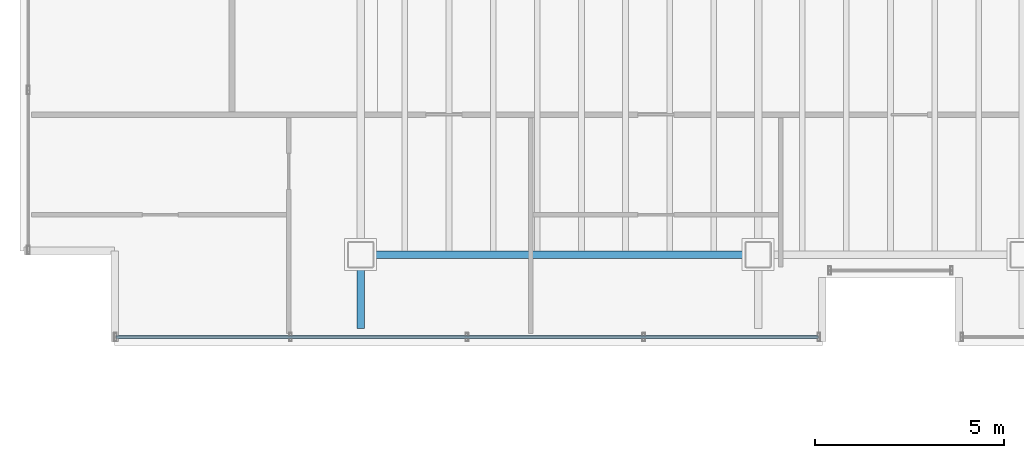
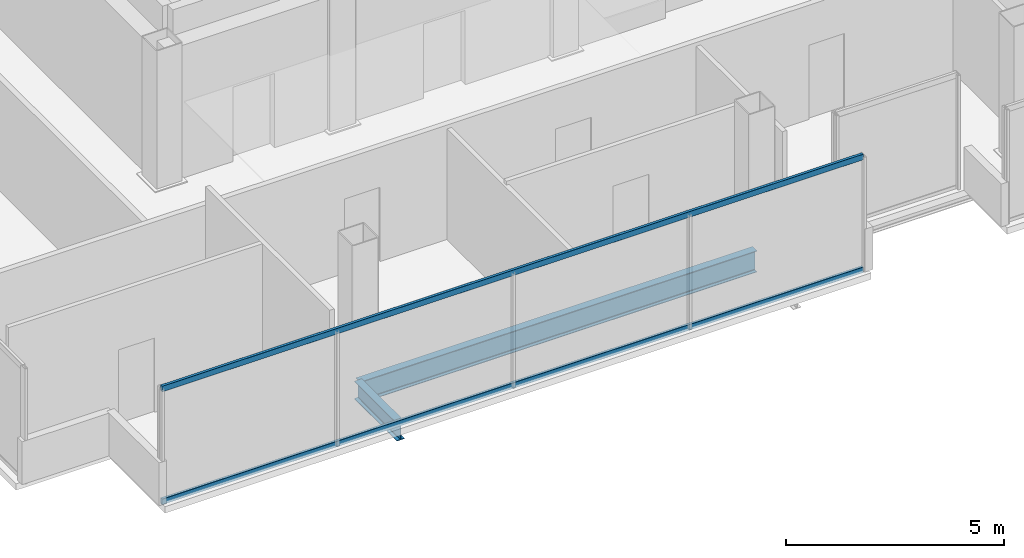
# One storey, part 3 of 17: 2 beams, 2 members, 1 element without a shape of its own.
"""IFC4 building model written with IfcOpenShell, lengths in metres."""

from ifc_helpers import new_model, si_unit, direction, frame, origin, origin_2d, place, context, subcontext, project, spatial, hollow_rectangle, i_section, extrude, material, material_profile, profile_set, type_object, element, aggregate, save


model = new_model("IFC4")

# Units and contexts
model_context = context("Model", 3, precision=1e-05, world=origin(), true_north=direction((0.0, 1.0)))
body_context = subcontext(model_context, "Body", "Model", "MODEL_VIEW")
ifc_project = project(units=[si_unit("LENGTHUNIT", "METRE"), si_unit("AREAUNIT", "SQUARE_METRE"), si_unit("VOLUMEUNIT", "CUBIC_METRE"), si_unit("PLANEANGLEUNIT", "RADIAN"), si_unit("MASSUNIT", "GRAM", prefix="KILO")], contexts=[model_context])

# Site, building, storey
site_placement = place(None, origin())
site = spatial("IfcSite", under=ifc_project, at=site_placement, CompositionType="ELEMENT")
building_placement = place(site_placement, origin())
building = spatial("IfcBuilding", under=site, at=building_placement, Name="Noeulbin Bourse Tower", CompositionType="ELEMENT")
storey_placement = place(building_placement, frame((0.0, 0.0, 273.5)))
storey = spatial("IfcBuildingStorey", under=building, at=storey_placement, Name="L68", CompositionType="ELEMENT", Elevation=273.5)

# Beams
ifc_material_1 = material(Name="Steel S355", Category="steel")
ifc_material_profile_1 = material_profile(ifc_material_1, i_section(OverallWidth=0.199951171875, OverallDepth=0.5, WebThickness=0.010009765625, FlangeThickness=0.01611328125, FilletRadius=0.02001953125, at=origin_2d()), Name="H-500x200x10x16", Category="LoadBearing")
ifc_profile_set_1 = profile_set([ifc_material_profile_1], Name="Steel S355")
beam_type_1 = type_object("IfcBeamType", Name="BM-GRD-500", PredefinedType="USERDEFINED", material=ifc_profile_set_1)
beam_1_placement = place(storey_placement, frame((13.5, 18.050048828125, -0.429931640625), z_axis=(0.0, 1.0, 0.0), x_axis=(-1.0, 0.0, 0.0)))
element("IfcBeam", 1, at=beam_1_placement, inside=storey, type_object=beam_type_1, Name="Tower Primary Girder NS L68-1.1", ObjectType="GIRDER", PredefinedType="USERDEFINED", context=body_context, shape_type="SweptSolid", body=[
    extrude(i_section(OverallWidth=0.199951171875, OverallDepth=0.5, WebThickness=0.010009765625, FlangeThickness=0.01611328125, FilletRadius=0.02001953125, at=origin_2d()), origin(), (0.0, 0.0, 1.0), 1.949951171875),
])
ifc_material_profile_2 = material_profile(ifc_material_1, i_section(OverallWidth=0.199951171875, OverallDepth=0.60009765625, WebThickness=0.010986328125, FlangeThickness=0.01708984375, FilletRadius=0.02197265625, at=origin_2d()), Name="H-600x200x11x17", Category="LoadBearing")
ifc_profile_set_2 = profile_set([ifc_material_profile_2], Name="Steel S355")
beam_type_2 = type_object("IfcBeamType", Name="BM-GRD-600", PredefinedType="USERDEFINED", material=ifc_profile_set_2)
beam_2_placement = place(storey_placement, frame((13.5, 20.0, -0.47998046875), z_axis=(1.0, 0.0, 0.0), x_axis=(0.0, 1.0, 0.0)))
element("IfcBeam", 2, at=beam_2_placement, inside=storey, type_object=beam_type_2, Name="Tower Primary Girder EW L68-1.1", ObjectType="GIRDER", PredefinedType="USERDEFINED", context=body_context, shape_type="SweptSolid", body=[
    extrude(i_section(OverallWidth=0.199951171875, OverallDepth=0.60009765625, WebThickness=0.010986328125, FlangeThickness=0.01708984375, FilletRadius=0.02197265625, at=origin_2d()), origin(), (0.0, 0.0, 1.0), 10.5),
])

# Curtain wall, members
ifc_material_2 = material(Name="High-Selectivity Low-Iron Glazing", Category="glass")
curtain_wall_type = type_object("IfcCurtainWallType", Name="CW-SYS-4", PredefinedType="NOTDEFINED", material=ifc_material_2)
curtain_wall_placement = place(storey_placement, origin())
curtain_wall = element("IfcCurtainWall", 3, at=curtain_wall_placement, inside=storey, type_object=curtain_wall_type, Name="Unitised Curtain Wall CW-L68-S1", PredefinedType="NOTDEFINED")
ifc_material_3 = material(Name="Anodised Aluminium 6063-T6", Category="aluminium")
ifc_material_profile_3 = material_profile(ifc_material_3, hollow_rectangle(XDim=0.074951171875, YDim=0.159912109375, WallThickness=0.0048828125, InnerFilletRadius=0.00244140625, OuterFilletRadius=0.0048828125, at=origin_2d()), Name="ALU-TRAN-75x160x5", Category="LoadBearing")
ifc_profile_set_3 = profile_set([ifc_material_profile_3], Name="Anodised Aluminium 6063-T6")
member_type = type_object("IfcMemberType", Name="CW-SYS-4-TRN", PredefinedType="USERDEFINED", material=ifc_profile_set_3)
member_1_placement = place(storey_placement, frame((7.030029296875, 17.820068359375, 0.010009765625), z_axis=(1.0, 0.0, 0.0), x_axis=(0.0, 1.0, 0.0)))
member_1 = element("IfcMember", 4, at=member_1_placement, type_object=member_type, Name="Curtain Wall Transom CW-L68-S1-T00", ObjectType="TRANSOM", PredefinedType="USERDEFINED", context=body_context, shape_type="SweptSolid", body=[
    extrude(hollow_rectangle(XDim=0.074951171875, YDim=0.159912109375, WallThickness=0.0048828125, InnerFilletRadius=0.00244140625, OuterFilletRadius=0.0048828125, at=origin_2d()), origin(), (0.0, 0.0, 1.0), 18.570068359375),
])
member_2_placement = place(storey_placement, frame((7.030029296875, 17.820068359375, 3.169921875), z_axis=(1.0, 0.0, 0.0), x_axis=(0.0, 1.0, 0.0)))
member_2 = element("IfcMember", 5, at=member_2_placement, type_object=member_type, Name="Curtain Wall Transom CW-L68-S1-T01", ObjectType="TRANSOM", PredefinedType="USERDEFINED", context=body_context, shape_type="SweptSolid", body=[
    extrude(hollow_rectangle(XDim=0.074951171875, YDim=0.159912109375, WallThickness=0.0048828125, InnerFilletRadius=0.00244140625, OuterFilletRadius=0.0048828125, at=origin_2d()), origin(), (0.0, 0.0, 1.0), 18.570068359375),
])
aggregate(curtain_wall, [member_1, member_2])

save(model, "model.ifc")
